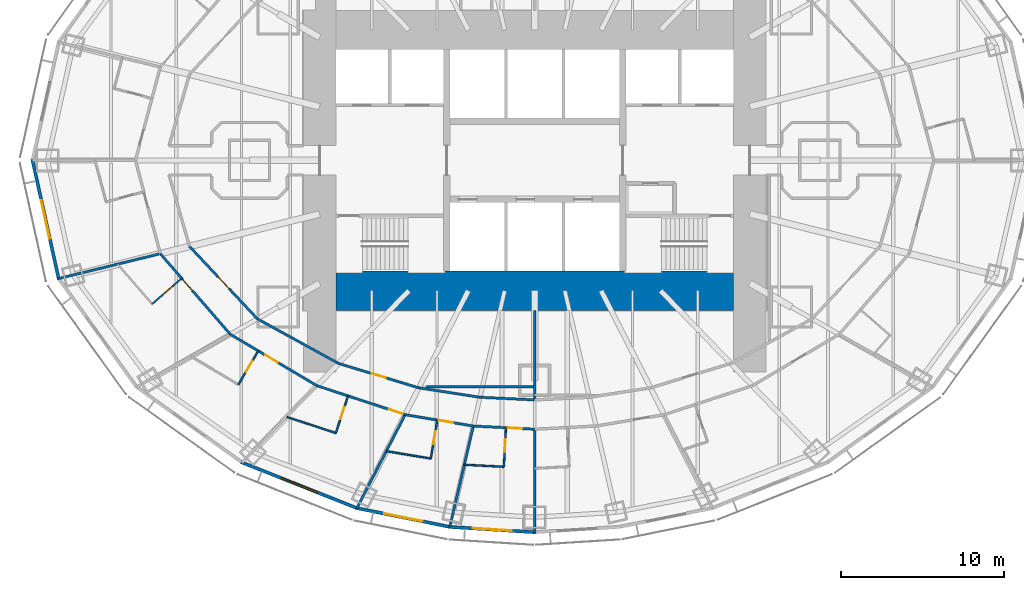
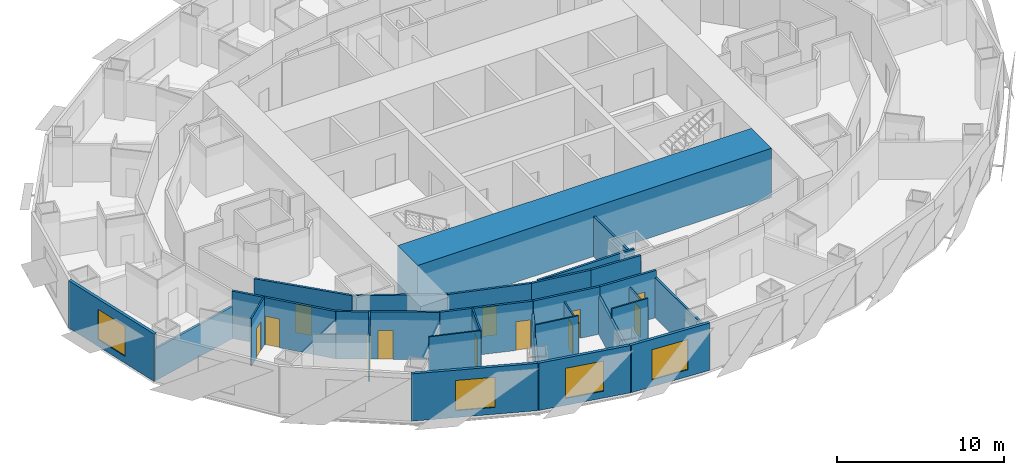
# One storey, part 5 of 15: 29 walls, 12 doors, 4 windows, 16 openings.
"""IFC4 building model written with IfcOpenShell, lengths in metres."""

from ifc_helpers import new_model, si_unit, direction, frame, frame_2d, origin, place, context, subcontext, project, spatial, rectangle, extrude, material, layer, layer_set, type_object, element, fill, save


model = new_model("IFC4")

# Units and contexts
model_context = context("Model", 3, precision=1e-05, world=origin(), true_north=direction((0.0, 1.0)))
body_context = subcontext(model_context, "Body", "Model", "MODEL_VIEW")
ifc_project = project(units=[si_unit("LENGTHUNIT", "METRE"), si_unit("AREAUNIT", "SQUARE_METRE"), si_unit("VOLUMEUNIT", "CUBIC_METRE"), si_unit("PLANEANGLEUNIT", "RADIAN"), si_unit("MASSUNIT", "GRAM", prefix="KILO")], contexts=[model_context])

# Site, building, storey
site_placement = place(None, origin())
site = spatial("IfcSite", under=ifc_project, at=site_placement, CompositionType="ELEMENT")
building_placement = place(site_placement, origin())
building = spatial("IfcBuilding", under=site, at=building_placement, Name="Lantaw Convention Tower", CompositionType="ELEMENT")
storey_placement = place(building_placement, frame((0.0, 0.0, 58.60009765625)))
storey = spatial("IfcBuildingStorey", under=building, at=storey_placement, Name="L12", CompositionType="ELEMENT", Elevation=58.60009765625)

# Walls
ifc_material_1 = material(Name="Gypsum board on steel studs", Category="steel")
ifc_layer_1 = layer(ifc_material_1, 0.14990234375)
ifc_layer_set_1 = layer_set([ifc_layer_1], Name="Back of house wall 150")
wall_type_1 = type_object("IfcWallType", Name="Back of house wall 150", PredefinedType="PARTITIONING", material=ifc_layer_set_1)
wall_1_placement = place(storey_placement, frame((0.0, -9.199951171875, 0.0), z_axis=(0.0, 0.0, 1.0), x_axis=(0.0, -1.0, 0.0)))
element("IfcWall", 1, at=wall_1_placement, inside=storey, type_object=wall_type_1, Name="Back of house wall 150", PredefinedType="PARTITIONING", context=body_context, shape_type="SweptSolid", body=[
    extrude(rectangle(XDim=5.5, YDim=0.14990234375, at=frame_2d((2.75, 0.0))), origin(), (0.0, 0.0, 1.0), 2.924072265625),
])
wall_2_placement = place(storey_placement, frame((-6.646728515625, -13.89990234375, 0.0), z_axis=(0.0, 0.0, 1.0), x_axis=(1.0, 0.0, 0.0)))
element("IfcWall", 2, at=wall_2_placement, inside=storey, type_object=wall_type_1, Name="Back of house wall 150", PredefinedType="PARTITIONING", context=body_context, shape_type="SweptSolid", body=[
    extrude(rectangle(XDim=6.646728515625, YDim=0.14990234375, at=frame_2d((3.3232421875, 0.0))), origin(), (0.0, 0.0, 1.0), 3.449951171875),
])

# Wall, opening, door
ifc_material_2 = material(Name="Moisture resistant gypsum board on steel studs", Category="steel")
ifc_layer_2 = layer(ifc_material_2, 0.10009765625)
ifc_layer_set_2 = layer_set([ifc_layer_2], Name="Bathroom wall 100")
wall_type_2 = type_object("IfcWallType", Name="Bathroom wall 100", PredefinedType="PARTITIONING", material=ifc_layer_set_2)
wall_3_placement = place(storey_placement, frame((-21.664794921875, -7.23876953125, 0.0), z_axis=(0.0, 0.0, 1.0), x_axis=(-0.755098052661, -0.655611875172, 0.0)))
wall_3 = element("IfcWall", 3, at=wall_3_placement, inside=storey, type_object=wall_type_2, Name="Bathroom wall 100", PredefinedType="PARTITIONING", context=body_context, shape_type="SweptSolid", body=[
    extrude(rectangle(XDim=2.400146484375, YDim=0.10009765625, at=frame_2d((1.2001953125, 0.0))), origin(), (0.0, 0.0, 1.0), 3.449951171875),
])
opening_1_placement = place(wall_3_placement, frame((0.699951171875, 0.0, 0.0)))
opening_1 = element("IfcOpeningElement", 4, at=opening_1_placement, cuts=wall_3, Name="Opening L12.45", PredefinedType="OPENING", context=body_context, shape_type="SweptSolid", body=[
    extrude(rectangle(XDim=0.800048828125, YDim=2.10009765625, at=frame_2d((0.39990234375, 1.050048828125))), frame((0.0, 0.06005859375, 0.0), z_axis=(0.0, -1.0, 0.0), x_axis=(1.0, 0.0, 0.0)), (0.0, 0.0, 1.0), 0.1201171875),
])
ifc_material_3 = material(Name="Timber", Category="wood")
door_type_1 = type_object("IfcDoorType", Name="Bathroom door 800", OperationType="SINGLE_SWING_LEFT", PredefinedType="DOOR", material=ifc_material_3)
door_1_placement = place(opening_1_placement, origin())
door_1 = element("IfcDoor", 5, at=door_1_placement, inside=storey, type_object=door_type_1, Name="Bathroom door", OperationType="SINGLE_SWING_LEFT", OverallHeight=2.10009765625, OverallWidth=0.800048828125, PredefinedType="DOOR", context=body_context, shape_type="SweptSolid", body=[
    extrude(rectangle(XDim=0.800048828125, YDim=2.10009765625, at=frame_2d((0.39990234375, 1.050048828125))), frame((0.0, 0.02490234375, 0.0), z_axis=(0.0, -1.0, 0.0), x_axis=(1.0, 0.0, 0.0)), (0.0, 0.0, 1.0), 0.050048828125),
])
fill(opening_1, door_1)

wall_4_placement = place(storey_placement, frame((-16.961181640625, -11.6953125, 0.0), z_axis=(0.0, 0.0, 1.0), x_axis=(-0.510075642074, -0.860129548012, 0.0)))
wall_4 = element("IfcWall", 6, at=wall_4_placement, inside=storey, type_object=wall_type_2, Name="Bathroom wall 100", PredefinedType="PARTITIONING", context=body_context, shape_type="SweptSolid", body=[
    extrude(rectangle(XDim=2.39990234375, YDim=0.10009765625, at=frame_2d((1.199951171875, 0.0))), origin(), (0.0, 0.0, 1.0), 3.449951171875),
])
opening_2_placement = place(wall_4_placement, frame((0.699951171875, 0.0, 0.0)))
opening_2 = element("IfcOpeningElement", 7, at=opening_2_placement, cuts=wall_4, Name="Opening L12.47", PredefinedType="OPENING", context=body_context, shape_type="SweptSolid", body=[
    extrude(rectangle(XDim=0.800048828125, YDim=2.10009765625, at=frame_2d((0.39990234375, 1.050048828125))), frame((0.0, 0.06005859375, 0.0), z_axis=(0.0, -1.0, 0.0), x_axis=(1.0, 0.0, 0.0)), (0.0, 0.0, 1.0), 0.1201171875),
])
door_2_placement = place(opening_2_placement, origin())
door_2 = element("IfcDoor", 8, at=door_2_placement, inside=storey, type_object=door_type_1, Name="Bathroom door", OperationType="SINGLE_SWING_LEFT", OverallHeight=2.10009765625, OverallWidth=0.800048828125, PredefinedType="DOOR", context=body_context, shape_type="SweptSolid", body=[
    extrude(rectangle(XDim=0.800048828125, YDim=2.10009765625, at=frame_2d((0.39990234375, 1.050048828125))), frame((0.0, 0.02490234375, 0.0), z_axis=(0.0, -1.0, 0.0), x_axis=(1.0, 0.0, 0.0)), (0.0, 0.0, 1.0), 0.050048828125),
])
fill(opening_2, door_2)

wall_5_placement = place(storey_placement, frame((-11.457275390625, -14.455810546875, 0.0), z_axis=(0.0, 0.0, 1.0), x_axis=(-0.311890952591, -0.950117905153, 0.0)))
wall_5 = element("IfcWall", 9, at=wall_5_placement, inside=storey, type_object=wall_type_2, Name="Bathroom wall 100", PredefinedType="PARTITIONING", context=body_context, shape_type="SweptSolid", body=[
    extrude(rectangle(XDim=2.39990234375, YDim=0.10009765625, at=frame_2d((1.199951171875, 0.0))), origin(), (0.0, 0.0, 1.0), 3.449951171875),
])
opening_3_placement = place(wall_5_placement, frame((0.699951171875, 0.0, 0.0)))
opening_3 = element("IfcOpeningElement", 10, at=opening_3_placement, cuts=wall_5, Name="Opening L12.49", PredefinedType="OPENING", context=body_context, shape_type="SweptSolid", body=[
    extrude(rectangle(XDim=0.800048828125, YDim=2.10009765625, at=frame_2d((0.39990234375, 1.050048828125))), frame((0.0, 0.06005859375, 0.0), z_axis=(0.0, -1.0, 0.0), x_axis=(1.0, 0.0, 0.0)), (0.0, 0.0, 1.0), 0.1201171875),
])
door_3_placement = place(opening_3_placement, origin())
door_3 = element("IfcDoor", 11, at=door_3_placement, inside=storey, type_object=door_type_1, Name="Bathroom door", OperationType="SINGLE_SWING_LEFT", OverallHeight=2.10009765625, OverallWidth=0.800048828125, PredefinedType="DOOR", context=body_context, shape_type="SweptSolid", body=[
    extrude(rectangle(XDim=0.800048828125, YDim=2.10009765625, at=frame_2d((0.39990234375, 1.050048828125))), frame((0.0, 0.02490234375, 0.0), z_axis=(0.0, -1.0, 0.0), x_axis=(1.0, 0.0, 0.0)), (0.0, 0.0, 1.0), 0.050048828125),
])
fill(opening_3, door_3)

# Wall
wall_6_placement = place(storey_placement, frame((-12.205810546875, -16.736083984375, 0.0), z_axis=(0.0, 0.0, 1.0), x_axis=(-0.950109912386, 0.311915300018, 0.0)))
element("IfcWall", 12, at=wall_6_placement, inside=storey, type_object=wall_type_2, Name="Bathroom wall 100", PredefinedType="PARTITIONING", context=body_context, shape_type="SweptSolid", body=[
    extrude(rectangle(XDim=3.161376953125, YDim=0.10009765625, at=frame_2d((1.58056640625, 0.0))), origin(), (0.0, 0.0, 1.0), 3.449951171875),
])

# Wall, opening, door
wall_7_placement = place(storey_placement, frame((-5.979248046875, -15.935302734375, 0.0), z_axis=(0.0, 0.0, 1.0), x_axis=(-0.164283516215, -0.986413162067, 0.0)))
wall_7 = element("IfcWall", 13, at=wall_7_placement, inside=storey, type_object=wall_type_2, Name="Bathroom wall 100", PredefinedType="PARTITIONING", context=body_context, shape_type="SweptSolid", body=[
    extrude(rectangle(XDim=2.400146484375, YDim=0.10009765625, at=frame_2d((1.2001953125, 0.0))), origin(), (0.0, 0.0, 1.0), 2.9140625),
])
opening_4_placement = place(wall_7_placement, frame((0.699951171875, 0.0, 0.0)))
opening_4 = element("IfcOpeningElement", 14, at=opening_4_placement, cuts=wall_7, Name="Opening L12.51", PredefinedType="OPENING", context=body_context, shape_type="SweptSolid", body=[
    extrude(rectangle(XDim=0.800048828125, YDim=2.10009765625, at=frame_2d((0.39990234375, 1.050048828125))), frame((0.0, 0.06005859375, 0.0), z_axis=(0.0, -1.0, 0.0), x_axis=(1.0, 0.0, 0.0)), (0.0, 0.0, 1.0), 0.1201171875),
])
door_4_placement = place(opening_4_placement, origin())
door_4 = element("IfcDoor", 15, at=door_4_placement, inside=storey, type_object=door_type_1, Name="Bathroom door", OperationType="SINGLE_SWING_LEFT", OverallHeight=2.10009765625, OverallWidth=0.800048828125, PredefinedType="DOOR", context=body_context, shape_type="SweptSolid", body=[
    extrude(rectangle(XDim=0.800048828125, YDim=2.10009765625, at=frame_2d((0.39990234375, 1.050048828125))), frame((0.0, 0.02490234375, 0.0), z_axis=(0.0, -1.0, 0.0), x_axis=(1.0, 0.0, 0.0)), (0.0, 0.0, 1.0), 0.050048828125),
])
fill(opening_4, door_4)

# Wall
wall_8_placement = place(storey_placement, frame((-6.37353515625, -18.302734375, 0.0), z_axis=(0.0, 0.0, 1.0), x_axis=(-0.98640348956, 0.164341582641, 0.0)))
element("IfcWall", 16, at=wall_8_placement, inside=storey, type_object=wall_type_2, Name="Bathroom wall 100", PredefinedType="PARTITIONING", context=body_context, shape_type="SweptSolid", body=[
    extrude(rectangle(XDim=2.7587890625, YDim=0.10009765625, at=frame_2d((1.37939453125, 0.0))), origin(), (0.0, 0.0, 1.0), 3.449951171875),
])

# Wall, opening, door
wall_9_placement = place(storey_placement, frame((-1.766845703125, -16.407958984375, 0.0), z_axis=(0.0, 0.0, 1.0), x_axis=(-0.051982187452, -0.998648012158, 0.0)))
wall_9 = element("IfcWall", 17, at=wall_9_placement, inside=storey, type_object=wall_type_2, Name="Bathroom wall 100", PredefinedType="PARTITIONING", context=body_context, shape_type="SweptSolid", body=[
    extrude(rectangle(XDim=2.39990234375, YDim=0.10009765625, at=frame_2d((1.199951171875, 0.0))), origin(), (0.0, 0.0, 1.0), 2.748779296875),
])
opening_5_placement = place(wall_9_placement, frame((0.699951171875, 0.0, 0.0)))
opening_5 = element("IfcOpeningElement", 18, at=opening_5_placement, cuts=wall_9, Name="Opening L12.53", PredefinedType="OPENING", context=body_context, shape_type="SweptSolid", body=[
    extrude(rectangle(XDim=0.800048828125, YDim=2.10009765625, at=frame_2d((0.39990234375, 1.050048828125))), frame((0.0, 0.06005859375, 0.0), z_axis=(0.0, -1.0, 0.0), x_axis=(1.0, 0.0, 0.0)), (0.0, 0.0, 1.0), 0.1201171875),
])
door_5_placement = place(opening_5_placement, origin())
door_5 = element("IfcDoor", 19, at=door_5_placement, inside=storey, type_object=door_type_1, Name="Bathroom door", OperationType="SINGLE_SWING_LEFT", OverallHeight=2.10009765625, OverallWidth=0.800048828125, PredefinedType="DOOR", context=body_context, shape_type="SweptSolid", body=[
    extrude(rectangle(XDim=0.800048828125, YDim=2.10009765625, at=frame_2d((0.39990234375, 1.050048828125))), frame((0.0, 0.02490234375, 0.0), z_axis=(0.0, -1.0, 0.0), x_axis=(1.0, 0.0, 0.0)), (0.0, 0.0, 1.0), 0.050048828125),
])
fill(opening_5, door_5)

# Walls
wall_10_placement = place(storey_placement, frame((-1.8916015625, -18.8046875, 0.0), z_axis=(0.0, 0.0, 1.0), x_axis=(-0.998648540987, 0.051972026944, 0.0)))
element("IfcWall", 20, at=wall_10_placement, inside=storey, type_object=wall_type_2, Name="Bathroom wall 100", PredefinedType="PARTITIONING", context=body_context, shape_type="SweptSolid", body=[
    extrude(rectangle(XDim=2.423828125, YDim=0.10009765625, at=frame_2d((1.2119140625, 0.0))), origin(), (0.0, 0.0, 1.0), 3.449951171875),
])
ifc_material_4 = material(Name="Concrete C60/75", Category="concrete")
ifc_layer_3 = layer(ifc_material_4, 2.39990234375)
ifc_layer_set_3 = layer_set([ifc_layer_3], Name="Core wall 2400")
wall_type_3 = type_object("IfcWallType", Name="Core wall 2400", PredefinedType="SHEAR", material=ifc_layer_set_3)
wall_11_placement = place(storey_placement, frame((-12.199951171875, -8.0, 0.0), z_axis=(0.0, 0.0, 1.0), x_axis=(1.0, 0.0, 0.0)))
element("IfcWall", 21, at=wall_11_placement, inside=storey, type_object=wall_type_3, Name="Core wall S", PredefinedType="SHEAR", context=body_context, shape_type="SweptSolid", body=[
    extrude(rectangle(XDim=24.39990234375, YDim=2.39990234375, at=frame_2d((12.199951171875, 0.0))), origin(), (0.0, 0.0, 1.0), 3.599853515625),
])

# Wall, opening, door
ifc_material_5 = material(Name="Gypsum board on steel studs, fire rated", Category="steel")
ifc_layer_4 = layer(ifc_material_5, 0.14990234375)
ifc_layer_set_4 = layer_set([ifc_layer_4], Name="Corridor wall 150 EI 60")
wall_type_4 = type_object("IfcWallType", Name="Corridor wall 150 EI 60", PredefinedType="PARTITIONING", material=ifc_layer_set_4)
wall_12_placement = place(storey_placement, frame((-22.97607421875, -5.728515625, 0.0), z_axis=(0.0, 0.0, 1.0), x_axis=(0.655599989166, -0.755108372491, 0.0)))
wall_12 = element("IfcWall", 22, at=wall_12_placement, inside=storey, type_object=wall_type_4, Name="Corridor wall 150", PredefinedType="PARTITIONING", context=body_context, shape_type="SweptSolid", body=[
    extrude(rectangle(XDim=6.55078125, YDim=0.14990234375, at=frame_2d((3.275390625, 0.0))), origin(), (0.0, 0.0, 1.0), 3.449951171875),
])
opening_6_placement = place(wall_12_placement, frame((2.10009765625, 0.0, 0.0)))
opening_6 = element("IfcOpeningElement", 23, at=opening_6_placement, cuts=wall_12, Name="Opening L12.46", PredefinedType="OPENING", context=body_context, shape_type="SweptSolid", body=[
    extrude(rectangle(XDim=0.89990234375, YDim=2.10009765625, at=frame_2d((0.449951171875, 1.050048828125))), frame((0.0, 0.0849609375, 0.0), z_axis=(0.0, -1.0, 0.0), x_axis=(1.0, 0.0, 0.0)), (0.0, 0.0, 1.0), 0.169921875),
])
ifc_material_6 = material(Name="Steel, fire rated", Category="steel")
door_type_2 = type_object("IfcDoorType", Name="Guest room entrance door FD30S", OperationType="SINGLE_SWING_LEFT", PredefinedType="DOOR", material=ifc_material_6)
door_6_placement = place(opening_6_placement, origin())
door_6 = element("IfcDoor", 24, at=door_6_placement, inside=storey, type_object=door_type_2, Name="Guest room entrance door", OperationType="SINGLE_SWING_LEFT", OverallHeight=2.10009765625, OverallWidth=0.89990234375, PredefinedType="DOOR", context=body_context, shape_type="SweptSolid", body=[
    extrude(rectangle(XDim=0.89990234375, YDim=2.10009765625, at=frame_2d((0.449951171875, 1.050048828125))), frame((0.0, 0.02490234375, 0.0), z_axis=(0.0, -1.0, 0.0), x_axis=(1.0, 0.0, 0.0)), (0.0, 0.0, 1.0), 0.050048828125),
])
fill(opening_6, door_6)

wall_13_placement = place(storey_placement, frame((-18.681396484375, -10.675048828125, 0.0), z_axis=(0.0, 0.0, 1.0), x_axis=(0.860147339762, -0.510045639036, 0.0)))
wall_13 = element("IfcWall", 25, at=wall_13_placement, inside=storey, type_object=wall_type_4, Name="Corridor wall 150", PredefinedType="PARTITIONING", context=body_context, shape_type="SweptSolid", body=[
    extrude(rectangle(XDim=6.189697265625, YDim=0.14990234375, at=frame_2d((3.0947265625, 0.0))), origin(), (0.0, 0.0, 1.0), 3.449951171875),
])
opening_7_placement = place(wall_13_placement, frame((2.50537109375, 0.0, 0.0)))
opening_7 = element("IfcOpeningElement", 26, at=opening_7_placement, cuts=wall_13, Name="Opening L12.48", PredefinedType="OPENING", context=body_context, shape_type="SweptSolid", body=[
    extrude(rectangle(XDim=0.89990234375, YDim=2.10009765625, at=frame_2d((0.449951171875, 1.050048828125))), frame((0.0, 0.0849609375, 0.0), z_axis=(0.0, -1.0, 0.0), x_axis=(1.0, 0.0, 0.0)), (0.0, 0.0, 1.0), 0.169921875),
])
door_7_placement = place(opening_7_placement, origin())
door_7 = element("IfcDoor", 27, at=door_7_placement, inside=storey, type_object=door_type_2, Name="Guest room entrance door", OperationType="SINGLE_SWING_LEFT", OverallHeight=2.10009765625, OverallWidth=0.89990234375, PredefinedType="DOOR", context=body_context, shape_type="SweptSolid", body=[
    extrude(rectangle(XDim=0.89990234375, YDim=2.10009765625, at=frame_2d((0.449951171875, 1.050048828125))), frame((0.0, 0.02490234375, 0.0), z_axis=(0.0, -1.0, 0.0), x_axis=(1.0, 0.0, 0.0)), (0.0, 0.0, 1.0), 0.050048828125),
])
fill(opening_7, door_7)

wall_14_placement = place(storey_placement, frame((-13.357421875, -13.83203125, 0.0), z_axis=(0.0, 0.0, 1.0), x_axis=(0.950106803111, -0.311924770869, 0.0)))
wall_14 = element("IfcWall", 28, at=wall_14_placement, inside=storey, type_object=wall_type_4, Name="Corridor wall 150", PredefinedType="PARTITIONING", context=body_context, shape_type="SweptSolid", body=[
    extrude(rectangle(XDim=5.689453125, YDim=0.14990234375, at=frame_2d((2.8447265625, 0.0))), origin(), (0.0, 0.0, 1.0), 3.449951171875),
])
opening_8_placement = place(wall_14_placement, frame((4.639404296875, 0.0, 0.0)))
opening_8 = element("IfcOpeningElement", 29, at=opening_8_placement, cuts=wall_14, Name="Opening L12.50", PredefinedType="OPENING", context=body_context, shape_type="SweptSolid", body=[
    extrude(rectangle(XDim=0.89990234375, YDim=2.10009765625, at=frame_2d((0.449951171875, 1.050048828125))), frame((0.0, 0.0849609375, 0.0), z_axis=(0.0, -1.0, 0.0), x_axis=(1.0, 0.0, 0.0)), (0.0, 0.0, 1.0), 0.169921875),
])
door_8_placement = place(opening_8_placement, origin())
door_8 = element("IfcDoor", 30, at=door_8_placement, inside=storey, type_object=door_type_2, Name="Guest room entrance door", OperationType="SINGLE_SWING_LEFT", OverallHeight=2.10009765625, OverallWidth=0.89990234375, PredefinedType="DOOR", context=body_context, shape_type="SweptSolid", body=[
    extrude(rectangle(XDim=0.89990234375, YDim=2.10009765625, at=frame_2d((0.449951171875, 1.050048828125))), frame((0.0, 0.02490234375, 0.0), z_axis=(0.0, -1.0, 0.0), x_axis=(1.0, 0.0, 0.0)), (0.0, 0.0, 1.0), 0.050048828125),
])
fill(opening_8, door_8)

wall_15_placement = place(storey_placement, frame((-7.951904296875, -15.606689453125, 0.0), z_axis=(0.0, 0.0, 1.0), x_axis=(0.98641101506, -0.164296407044, 0.0)))
wall_15 = element("IfcWall", 31, at=wall_15_placement, inside=storey, type_object=wall_type_4, Name="Corridor wall 150", PredefinedType="PARTITIONING", context=body_context, shape_type="SweptSolid", body=[
    extrude(rectangle(XDim=4.245361328125, YDim=0.14990234375, at=frame_2d((2.12255859375, 0.0))), origin(), (0.0, 0.0, 1.0), 3.449951171875),
])
opening_9_placement = place(wall_15_placement, frame((2.10009765625, 0.0, 0.0)))
opening_9 = element("IfcOpeningElement", 32, at=opening_9_placement, cuts=wall_15, Name="Opening L12.52", PredefinedType="OPENING", context=body_context, shape_type="SweptSolid", body=[
    extrude(rectangle(XDim=0.89990234375, YDim=2.10009765625, at=frame_2d((0.449951171875, 1.050048828125))), frame((0.0, 0.0849609375, 0.0), z_axis=(0.0, -1.0, 0.0), x_axis=(1.0, 0.0, 0.0)), (0.0, 0.0, 1.0), 0.169921875),
])
door_9_placement = place(opening_9_placement, origin())
door_9 = element("IfcDoor", 33, at=door_9_placement, inside=storey, type_object=door_type_2, Name="Guest room entrance door", OperationType="SINGLE_SWING_LEFT", OverallHeight=2.10009765625, OverallWidth=0.89990234375, PredefinedType="DOOR", context=body_context, shape_type="SweptSolid", body=[
    extrude(rectangle(XDim=0.89990234375, YDim=2.10009765625, at=frame_2d((0.449951171875, 1.050048828125))), frame((0.0, 0.02490234375, 0.0), z_axis=(0.0, -1.0, 0.0), x_axis=(1.0, 0.0, 0.0)), (0.0, 0.0, 1.0), 0.050048828125),
])
fill(opening_9, door_9)

wall_16_placement = place(storey_placement, frame((-3.76416015625, -16.30419921875, 0.0), z_axis=(0.0, 0.0, 1.0), x_axis=(0.998649848759, -0.05194689186, 0.0)))
wall_16 = element("IfcWall", 34, at=wall_16_placement, inside=storey, type_object=wall_type_4, Name="Corridor wall 150", PredefinedType="PARTITIONING", context=body_context, shape_type="SweptSolid", body=[
    extrude(rectangle(XDim=3.769287109375, YDim=0.14990234375, at=frame_2d((1.884765625, 0.0))), origin(), (0.0, 0.0, 1.0), 3.449951171875),
])
opening_10_placement = place(wall_16_placement, frame((2.10009765625, 0.0, 0.0)))
opening_10 = element("IfcOpeningElement", 35, at=opening_10_placement, cuts=wall_16, Name="Opening L12.54", PredefinedType="OPENING", context=body_context, shape_type="SweptSolid", body=[
    extrude(rectangle(XDim=0.89990234375, YDim=2.10009765625, at=frame_2d((0.449951171875, 1.050048828125))), frame((0.0, 0.0849609375, 0.0), z_axis=(0.0, -1.0, 0.0), x_axis=(1.0, 0.0, 0.0)), (0.0, 0.0, 1.0), 0.169921875),
])
door_10_placement = place(opening_10_placement, origin())
door_10 = element("IfcDoor", 36, at=door_10_placement, inside=storey, type_object=door_type_2, Name="Guest room entrance door", OperationType="SINGLE_SWING_LEFT", OverallHeight=2.10009765625, OverallWidth=0.89990234375, PredefinedType="DOOR", context=body_context, shape_type="SweptSolid", body=[
    extrude(rectangle(XDim=0.89990234375, YDim=2.10009765625, at=frame_2d((0.449951171875, 1.050048828125))), frame((0.0, 0.02490234375, 0.0), z_axis=(0.0, -1.0, 0.0), x_axis=(1.0, 0.0, 0.0)), (0.0, 0.0, 1.0), 0.050048828125),
])
fill(opening_10, door_10)

wall_17_placement = place(storey_placement, frame((-21.18408203125, -5.28173828125, 0.0), z_axis=(0.0, 0.0, 1.0), x_axis=(0.68365836236, -0.729802194828, 0.0)))
wall_17 = element("IfcWall", 37, at=wall_17_placement, inside=storey, type_object=wall_type_4, Name="Corridor wall 150", PredefinedType="PARTITIONING", context=body_context, shape_type="SweptSolid", body=[
    extrude(rectangle(XDim=6.08984375, YDim=0.14990234375, at=frame_2d((3.044921875, 0.0))), origin(), (0.0, 0.0, 1.0), 3.449951171875),
])
opening_11_placement = place(wall_17_placement, frame((2.544921875, 0.0, 0.0)))
opening_11 = element("IfcOpeningElement", 38, at=opening_11_placement, cuts=wall_17, Name="Opening L12.22", PredefinedType="OPENING", context=body_context, shape_type="SweptSolid", body=[
    extrude(rectangle(XDim=1.0, YDim=2.10009765625, at=frame_2d((0.5, 1.050048828125))), frame((0.0, 0.0849609375, 0.0), z_axis=(0.0, -1.0, 0.0), x_axis=(1.0, 0.0, 0.0)), (0.0, 0.0, 1.0), 0.169921875),
])
door_type_3 = type_object("IfcDoorType", Name="Service door 1000 FD30", OperationType="SINGLE_SWING_LEFT", PredefinedType="DOOR", material=ifc_material_6)
door_11_placement = place(opening_11_placement, origin())
door_11 = element("IfcDoor", 39, at=door_11_placement, inside=storey, type_object=door_type_3, Name="Staff room door", OperationType="SINGLE_SWING_LEFT", OverallHeight=2.10009765625, OverallWidth=1.0, PredefinedType="DOOR", context=body_context, shape_type="SweptSolid", body=[
    extrude(rectangle(XDim=1.0, YDim=2.10009765625, at=frame_2d((0.5, 1.050048828125))), frame((0.0, 0.02490234375, 0.0), z_axis=(0.0, -1.0, 0.0), x_axis=(1.0, 0.0, 0.0)), (0.0, 0.0, 1.0), 0.050048828125),
])
fill(opening_11, door_11)

# Wall
wall_18_placement = place(storey_placement, frame((-17.020751953125, -9.72607421875, 0.0), z_axis=(0.0, 0.0, 1.0), x_axis=(0.876522084062, -0.481361647986, 0.0)))
element("IfcWall", 40, at=wall_18_placement, inside=storey, type_object=wall_type_4, Name="Corridor wall 150", PredefinedType="PARTITIONING", context=body_context, shape_type="SweptSolid", body=[
    extrude(rectangle(XDim=5.68701171875, YDim=0.14990234375, at=frame_2d((2.843505859375, 0.0))), origin(), (0.0, 0.0, 1.0), 3.449951171875),
])

# Wall, opening, door
wall_19_placement = place(storey_placement, frame((-12.035888671875, -12.463623046875, 0.0), z_axis=(0.0, 0.0, 1.0), x_axis=(0.956795045135, -0.290763205385, 0.0)))
wall_19 = element("IfcWall", 41, at=wall_19_placement, inside=storey, type_object=wall_type_4, Name="Corridor wall 150", PredefinedType="PARTITIONING", context=body_context, shape_type="SweptSolid", body=[
    extrude(rectangle(XDim=5.1455078125, YDim=0.14990234375, at=frame_2d((2.57275390625, 0.0))), origin(), (0.0, 0.0, 1.0), 3.449951171875),
])
opening_12_placement = place(wall_19_placement, frame((2.122802734375, 0.0, 0.0)))
opening_12 = element("IfcOpeningElement", 42, at=opening_12_placement, cuts=wall_19, Name="Opening L12.21", PredefinedType="OPENING", context=body_context, shape_type="SweptSolid", body=[
    extrude(rectangle(XDim=0.89990234375, YDim=2.10009765625, at=frame_2d((0.449951171875, 1.050048828125))), frame((0.0, 0.0849609375, 0.0), z_axis=(0.0, -1.0, 0.0), x_axis=(1.0, 0.0, 0.0)), (0.0, 0.0, 1.0), 0.169921875),
])
door_type_4 = type_object("IfcDoorType", Name="Service door 900 FD30", OperationType="SINGLE_SWING_LEFT", PredefinedType="DOOR", material=ifc_material_6)
door_12_placement = place(opening_12_placement, origin())
door_12 = element("IfcDoor", 43, at=door_12_placement, inside=storey, type_object=door_type_4, Name="Staff locker room door", OperationType="SINGLE_SWING_LEFT", OverallHeight=2.10009765625, OverallWidth=0.89990234375, PredefinedType="DOOR", context=body_context, shape_type="SweptSolid", body=[
    extrude(rectangle(XDim=0.89990234375, YDim=2.10009765625, at=frame_2d((0.449951171875, 1.050048828125))), frame((0.0, 0.02490234375, 0.0), z_axis=(0.0, -1.0, 0.0), x_axis=(1.0, 0.0, 0.0)), (0.0, 0.0, 1.0), 0.050048828125),
])
fill(opening_12, door_12)

# Walls
wall_20_placement = place(storey_placement, frame((-7.11279296875, -13.959716796875, 0.0), z_axis=(0.0, 0.0, 1.0), x_axis=(0.988343461108, -0.152240608529, 0.0)))
element("IfcWall", 44, at=wall_20_placement, inside=storey, type_object=wall_type_4, Name="Corridor wall 150", PredefinedType="PARTITIONING", context=body_context, shape_type="SweptSolid", body=[
    extrude(rectangle(XDim=3.800537109375, YDim=0.14990234375, at=frame_2d((1.900390625, 0.0))), origin(), (0.0, 0.0, 1.0), 3.449951171875),
])
wall_21_placement = place(storey_placement, frame((-3.3564453125, -14.538330078125, 0.0), z_axis=(0.0, 0.0, 1.0), x_axis=(0.998842682549, -0.048096730859, 0.0)))
element("IfcWall", 45, at=wall_21_placement, inside=storey, type_object=wall_type_4, Name="Corridor wall 150", PredefinedType="PARTITIONING", context=body_context, shape_type="SweptSolid", body=[
    extrude(rectangle(XDim=3.3603515625, YDim=0.14990234375, at=frame_2d((1.68017578125, 0.0))), origin(), (0.0, 0.0, 1.0), 3.449951171875),
])

# Wall, opening, window
ifc_material_7 = material(Name="Insulated aluminium panel on steel frame", Category="steel")
ifc_layer_5 = layer(ifc_material_7, 0.199951171875)
ifc_layer_set_5 = layer_set([ifc_layer_5], Name="External wall 200")
wall_type_5 = type_object("IfcWallType", Name="External wall 200", PredefinedType="SOLIDWALL", material=ifc_layer_set_5)
wall_22_placement = place(storey_placement, frame((-30.83544921875, 0.06689453125, 0.0), z_axis=(0.0, 0.0, 1.0), x_axis=(0.215238065514, -0.976561608478, 0.0)))
wall_22 = element("IfcWall", 46, at=wall_22_placement, inside=storey, type_object=wall_type_5, Name="Facade panel wall", PredefinedType="SOLIDWALL", context=body_context, shape_type="SweptSolid", body=[
    extrude(rectangle(XDim=7.562255859375, YDim=0.199951171875, at=frame_2d((3.78125, 0.0))), origin(), (0.0, 0.0, 1.0), 3.449951171875),
])
opening_13_placement = place(wall_22_placement, frame((2.581298828125, 0.0, 0.5)))
opening_13 = element("IfcOpeningElement", 47, at=opening_13_placement, cuts=wall_22, Name="Opening W1", PredefinedType="OPENING", context=body_context, shape_type="SweptSolid", body=[
    extrude(rectangle(XDim=2.39990234375, YDim=2.199951171875, at=frame_2d((1.199951171875, 1.10009765625))), frame((0.0, 0.10986328125, 0.0), z_axis=(0.0, -1.0, 0.0), x_axis=(1.0, 0.0, 0.0)), (0.0, 0.0, 1.0), 0.219970703125),
])
ifc_material_8 = material(Name="Aluminium frame, clear insulating glass", Category="aluminium")
window_type = type_object("IfcWindowType", Name="Guest room window 2400x2200", PartitioningType="SINGLE_PANEL", PredefinedType="WINDOW", material=ifc_material_8)
window_1_placement = place(opening_13_placement, origin())
window_1 = element("IfcWindow", 48, at=window_1_placement, inside=storey, type_object=window_type, Name="Guest room window", OverallHeight=2.199951171875, OverallWidth=2.39990234375, PartitioningType="SINGLE_PANEL", PredefinedType="WINDOW", context=body_context, shape_type="SweptSolid", body=[
    extrude(rectangle(XDim=2.39990234375, YDim=2.199951171875, at=frame_2d((1.199951171875, 1.10009765625))), frame((0.0, 0.030029296875, 0.0), z_axis=(0.0, -1.0, 0.0), x_axis=(1.0, 0.0, 0.0)), (0.0, 0.0, 1.0), 0.06005859375),
])
fill(opening_13, window_1)

wall_23_placement = place(storey_placement, frame((-18.018310546875, -18.522705078125, 0.0), z_axis=(0.0, 0.0, 1.0), x_axis=(0.929358351251, -0.369178892895, 0.0)))
wall_23 = element("IfcWall", 49, at=wall_23_placement, inside=storey, type_object=wall_type_5, Name="Facade panel wall", PredefinedType="SOLIDWALL", context=body_context, shape_type="SweptSolid", body=[
    extrude(rectangle(XDim=7.6923828125, YDim=0.199951171875, at=frame_2d((3.84619140625, 0.0))), origin(), (0.0, 0.0, 1.0), 3.449951171875),
])
opening_14_placement = place(wall_23_placement, frame((2.64599609375, 0.0, 0.5)))
opening_14 = element("IfcOpeningElement", 50, at=opening_14_placement, cuts=wall_23, Name="Opening W1", PredefinedType="OPENING", context=body_context, shape_type="SweptSolid", body=[
    extrude(rectangle(XDim=2.39990234375, YDim=2.199951171875, at=frame_2d((1.199951171875, 1.10009765625))), frame((0.0, 0.10986328125, 0.0), z_axis=(0.0, -1.0, 0.0), x_axis=(1.0, 0.0, 0.0)), (0.0, 0.0, 1.0), 0.219970703125),
])
window_2_placement = place(opening_14_placement, origin())
window_2 = element("IfcWindow", 51, at=window_2_placement, inside=storey, type_object=window_type, Name="Guest room window", OverallHeight=2.199951171875, OverallWidth=2.39990234375, PartitioningType="SINGLE_PANEL", PredefinedType="WINDOW", context=body_context, shape_type="SweptSolid", body=[
    extrude(rectangle(XDim=2.39990234375, YDim=2.199951171875, at=frame_2d((1.199951171875, 1.10009765625))), frame((0.0, 0.030029296875, 0.0), z_axis=(0.0, -1.0, 0.0), x_axis=(1.0, 0.0, 0.0)), (0.0, 0.0, 1.0), 0.06005859375),
])
fill(opening_14, window_2)

wall_24_placement = place(storey_placement, frame((-10.956787109375, -21.336669921875, 0.0), z_axis=(0.0, 0.0, 1.0), x_axis=(0.980251657452, -0.197754110105, 0.0)))
wall_24 = element("IfcWall", 52, at=wall_24_placement, inside=storey, type_object=wall_type_5, Name="Facade panel wall", PredefinedType="SOLIDWALL", context=body_context, shape_type="SweptSolid", body=[
    extrude(rectangle(XDim=5.90380859375, YDim=0.199951171875, at=frame_2d((2.951904296875, 0.0))), origin(), (0.0, 0.0, 1.0), 3.449951171875),
])
opening_15_placement = place(wall_24_placement, frame((1.751708984375, 0.0, 0.5)))
opening_15 = element("IfcOpeningElement", 53, at=opening_15_placement, cuts=wall_24, Name="Opening W1", PredefinedType="OPENING", context=body_context, shape_type="SweptSolid", body=[
    extrude(rectangle(XDim=2.39990234375, YDim=2.199951171875, at=frame_2d((1.199951171875, 1.10009765625))), frame((0.0, 0.10986328125, 0.0), z_axis=(0.0, -1.0, 0.0), x_axis=(1.0, 0.0, 0.0)), (0.0, 0.0, 1.0), 0.219970703125),
])
window_3_placement = place(opening_15_placement, origin())
window_3 = element("IfcWindow", 54, at=window_3_placement, inside=storey, type_object=window_type, Name="Guest room window", OverallHeight=2.199951171875, OverallWidth=2.39990234375, PartitioningType="SINGLE_PANEL", PredefinedType="WINDOW", context=body_context, shape_type="SweptSolid", body=[
    extrude(rectangle(XDim=2.39990234375, YDim=2.199951171875, at=frame_2d((1.199951171875, 1.10009765625))), frame((0.0, 0.030029296875, 0.0), z_axis=(0.0, -1.0, 0.0), x_axis=(1.0, 0.0, 0.0)), (0.0, 0.0, 1.0), 0.06005859375),
])
fill(opening_15, window_3)

wall_25_placement = place(storey_placement, frame((-5.252685546875, -22.493408203125, 0.0), z_axis=(0.0, 0.0, 1.0), x_axis=(0.998018582375, -0.062919863585, 0.0)))
wall_25 = element("IfcWall", 55, at=wall_25_placement, inside=storey, type_object=wall_type_5, Name="Facade panel wall", PredefinedType="SOLIDWALL", context=body_context, shape_type="SweptSolid", body=[
    extrude(rectangle(XDim=5.30419921875, YDim=0.199951171875, at=frame_2d((2.652099609375, 0.0))), origin(), (0.0, 0.0, 1.0), 3.449951171875),
])
opening_16_placement = place(wall_25_placement, frame((1.4521484375, 0.0, 0.5)))
opening_16 = element("IfcOpeningElement", 56, at=opening_16_placement, cuts=wall_25, Name="Opening W1", PredefinedType="OPENING", context=body_context, shape_type="SweptSolid", body=[
    extrude(rectangle(XDim=2.39990234375, YDim=2.199951171875, at=frame_2d((1.199951171875, 1.10009765625))), frame((0.0, 0.10986328125, 0.0), z_axis=(0.0, -1.0, 0.0), x_axis=(1.0, 0.0, 0.0)), (0.0, 0.0, 1.0), 0.219970703125),
])
window_4_placement = place(opening_16_placement, origin())
window_4 = element("IfcWindow", 57, at=window_4_placement, inside=storey, type_object=window_type, Name="Guest room window", OverallHeight=2.199951171875, OverallWidth=2.39990234375, PartitioningType="SINGLE_PANEL", PredefinedType="WINDOW", context=body_context, shape_type="SweptSolid", body=[
    extrude(rectangle(XDim=2.39990234375, YDim=2.199951171875, at=frame_2d((1.199951171875, 1.10009765625))), frame((0.0, 0.030029296875, 0.0), z_axis=(0.0, -1.0, 0.0), x_axis=(1.0, 0.0, 0.0)), (0.0, 0.0, 1.0), 0.06005859375),
])
fill(opening_16, window_4)

# Walls
ifc_material_9 = material(Name="Gypsum board on steel studs, acoustic", Category="steel")
ifc_layer_6 = layer(ifc_material_9, 0.14990234375)
ifc_layer_set_6 = layer_set([ifc_layer_6], Name="Guest room party wall 150")
wall_type_6 = type_object("IfcWallType", Name="Guest room party wall 150", PredefinedType="PARTITIONING", material=ifc_layer_set_6)
wall_26_placement = place(storey_placement, frame((-29.221923828125, -7.253662109375, 0.0), z_axis=(0.0, 0.0, 1.0), x_axis=(0.971456980633, 0.237215797913, 0.0)))
element("IfcWall", 58, at=wall_26_placement, inside=storey, type_object=wall_type_6, Name="Guest room party wall 150", PredefinedType="PARTITIONING", context=body_context, shape_type="SweptSolid", body=[
    extrude(rectangle(XDim=6.429443359375, YDim=0.14990234375, at=frame_2d((3.21484375, 0.0))), origin(), (0.0, 0.0, 1.0), 2.332275390625),
])
wall_27_placement = place(storey_placement, frame((-10.911865234375, -21.345703125, 0.0), z_axis=(0.0, 0.0, 1.0), x_axis=(0.458384799126, 0.888753833145, 0.0)))
element("IfcWall", 59, at=wall_27_placement, inside=storey, type_object=wall_type_6, Name="Guest room party wall 150", PredefinedType="PARTITIONING", context=body_context, shape_type="SweptSolid", body=[
    extrude(rectangle(XDim=6.457275390625, YDim=0.14990234375, at=frame_2d((3.228515625, 0.0))), origin(), (0.0, 0.0, 1.0), 2.52783203125),
])
wall_28_placement = place(storey_placement, frame((-5.2109375, -22.495849609375, 0.0), z_axis=(0.0, 0.0, 1.0), x_axis=(0.227536694087, 0.973769507042, 0.0)))
element("IfcWall", 60, at=wall_28_placement, inside=storey, type_object=wall_type_6, Name="Guest room party wall 150", PredefinedType="PARTITIONING", context=body_context, shape_type="SweptSolid", body=[
    extrude(rectangle(XDim=6.3583984375, YDim=0.14990234375, at=frame_2d((3.17919921875, 0.0))), origin(), (0.0, 0.0, 1.0), 2.7666015625),
])
wall_29_placement = place(storey_placement, frame((0.0, -22.82470703125, 0.0), z_axis=(0.0, 0.0, 1.0), x_axis=(0.0, 1.0, 0.0)))
element("IfcWall", 61, at=wall_29_placement, inside=storey, type_object=wall_type_6, Name="Guest room party wall 150", PredefinedType="PARTITIONING", context=body_context, shape_type="SweptSolid", body=[
    extrude(rectangle(XDim=6.32470703125, YDim=0.14990234375, at=frame_2d((3.162353515625, 0.0))), origin(), (0.0, 0.0, 1.0), 2.924072265625),
])

save(model, "model.ifc")
